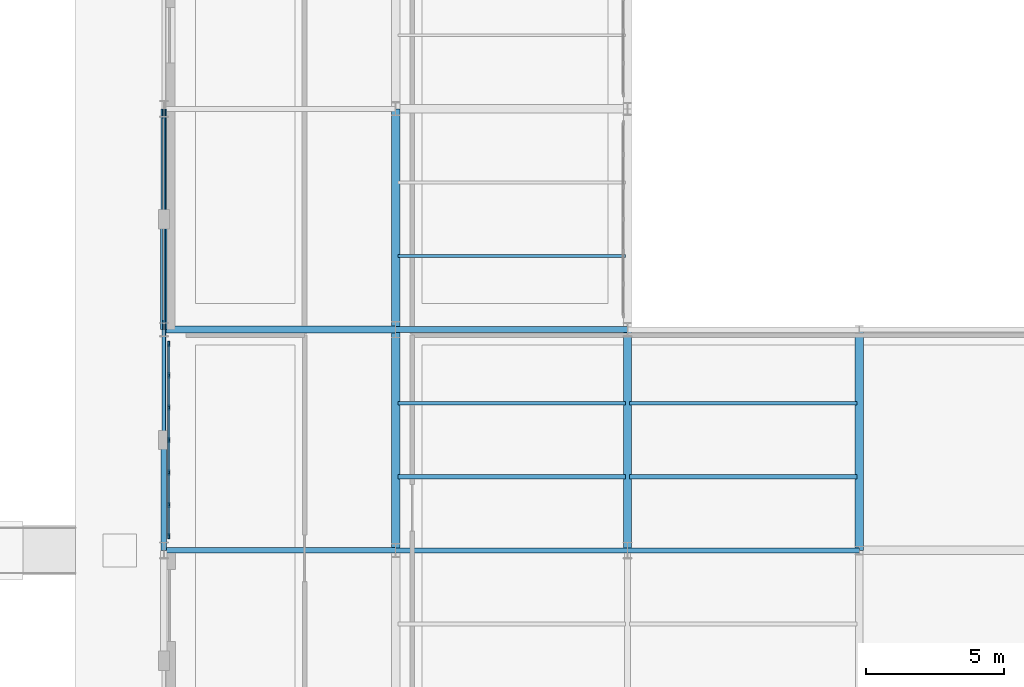
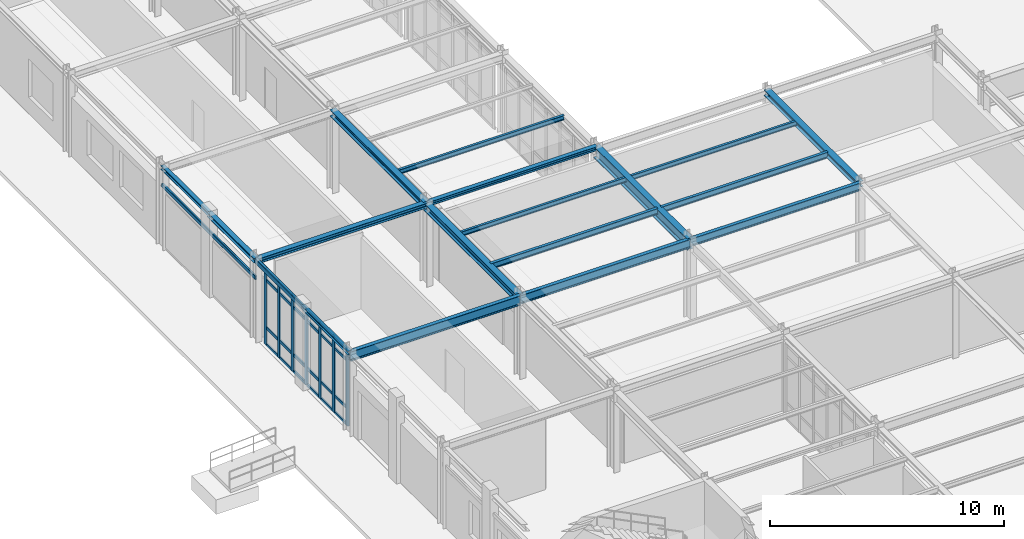
# One storey, part 37 of 101: 31 members, 19 beams, 1 element without a shape of its own.
"""IFC4 building model written with IfcOpenShell, lengths in metres."""

from ifc_helpers import new_model, si_unit, derived_unit, direction, frame, origin, origin_2d, place, context, subcontext, project, spatial, rectangle, hollow_rectangle, i_section, extrude, material, layer, layer_set, material_profile, profile_set, type_object, element, aggregate, save


model = new_model("IFC4")

# Units and contexts
model_context = context("Model", 3, precision=1e-05, world=origin(), true_north=direction((0.0, 1.0)))
body_context = subcontext(model_context, "Body", "Model", "MODEL_VIEW")
ifc_project = project(units=[si_unit("LENGTHUNIT", "METRE"), si_unit("AREAUNIT", "SQUARE_METRE"), si_unit("VOLUMEUNIT", "CUBIC_METRE"), si_unit("PLANEANGLEUNIT", "RADIAN"), si_unit("MASSUNIT", "GRAM", prefix="KILO"), derived_unit("THERMALTRANSMITTANCEUNIT", [(si_unit("POWERUNIT", "WATT"), 1), (si_unit("AREAUNIT", "SQUARE_METRE"), -1), (si_unit("THERMODYNAMICTEMPERATUREUNIT", "KELVIN"), -1)])], contexts=[model_context])

# Site, building, storey
site_placement = place(None, origin())
site = spatial("IfcSite", under=ifc_project, at=site_placement, CompositionType="ELEMENT")
building_placement = place(site_placement, origin())
building = spatial("IfcBuilding", under=site, at=building_placement, Name="Yasenodar Specialist Clinic", CompositionType="ELEMENT")
storey_placement = place(building_placement, origin())
storey = spatial("IfcBuildingStorey", under=building, at=storey_placement, Name="L00", CompositionType="ELEMENT", Elevation=0.0)

# Beams
ifc_material_1 = material(Name="Steel S355", Category="steel")
ifc_material_profile_1 = material_profile(ifc_material_1, i_section(OverallWidth=0.219970703125, OverallDepth=0.2099609375, WebThickness=0.007080078125, FlangeThickness=0.010986328125, FilletRadius=0.01806640625, at=origin_2d()), Name="HEA 220")
ifc_profile_set_1 = profile_set([ifc_material_profile_1], Name="Steel S355")
beam_type_1 = type_object("IfcBeamType", Name="BM-HEA220", PredefinedType="BEAM", material=ifc_profile_set_1)
beam_1_placement = place(storey_placement, frame((8.39990234375, 66.800048828125, 4.14501953125), z_axis=(1.0, 0.0, 0.0), x_axis=(0.0, 1.0, 0.0)))
element("IfcBeam", 1, at=beam_1_placement, inside=storey, type_object=beam_type_1, Name="L00 Primary E-W Girder", PredefinedType="BEAM", context=body_context, shape_type="SweptSolid", body=[
    extrude(i_section(OverallWidth=0.219970703125, OverallDepth=0.2099609375, WebThickness=0.007080078125, FlangeThickness=0.010986328125, FilletRadius=0.01806640625, at=origin_2d()), origin(), (0.0, 0.0, 1.0), 8.400146484375),
])
ifc_material_profile_2 = material_profile(ifc_material_1, i_section(OverallWidth=0.260009765625, OverallDepth=0.25, WebThickness=0.007568359375, FlangeThickness=0.012451171875, FilletRadius=0.02392578125, at=origin_2d()), Name="HEA 260")
ifc_profile_set_2 = profile_set([ifc_material_profile_2], Name="Steel S355")
beam_type_2 = type_object("IfcBeamType", Name="BM-HEA260", PredefinedType="BEAM", material=ifc_profile_set_2)
beam_2_placement = place(storey_placement, frame((0.0, 66.800048828125, 4.125), z_axis=(1.0, 0.0, 0.0), x_axis=(0.0, 1.0, 0.0)))
element("IfcBeam", 2, at=beam_2_placement, inside=storey, type_object=beam_type_2, Name="L00 Primary E-W Girder", PredefinedType="BEAM", context=body_context, shape_type="SweptSolid", body=[
    extrude(i_section(OverallWidth=0.260009765625, OverallDepth=0.25, WebThickness=0.007568359375, FlangeThickness=0.012451171875, FilletRadius=0.02392578125, at=origin_2d()), origin(), (0.0, 0.0, 1.0), 8.39990234375),
])
ifc_material_profile_3 = material_profile(ifc_material_1, i_section(OverallWidth=0.300048828125, OverallDepth=0.2900390625, WebThickness=0.008544921875, FlangeThickness=0.013916015625, FilletRadius=0.027099609375, at=origin_2d()), Name="HEA 300")
ifc_profile_set_3 = profile_set([ifc_material_profile_3], Name="Steel S355")
beam_type_3 = type_object("IfcBeamType", Name="BM-HEA300", PredefinedType="BEAM", material=ifc_profile_set_3)
beam_3_placement = place(storey_placement, frame((25.199951171875, 58.800048828125, 4.10498046875), z_axis=(0.0, 1.0, 0.0), x_axis=(-1.0, 0.0, 0.0)))
element("IfcBeam", 3, at=beam_3_placement, inside=storey, type_object=beam_type_3, Name="L00 Primary N-S Girder", PredefinedType="BEAM", context=body_context, shape_type="SweptSolid", body=[
    extrude(i_section(OverallWidth=0.300048828125, OverallDepth=0.2900390625, WebThickness=0.008544921875, FlangeThickness=0.013916015625, FilletRadius=0.027099609375, at=origin_2d()), origin(), (0.0, 0.0, 1.0), 8.0),
])
ifc_material_profile_4 = material_profile(ifc_material_1, i_section(OverallWidth=0.300048828125, OverallDepth=0.340087890625, WebThickness=0.011962890625, FlangeThickness=0.021484375, FilletRadius=0.027099609375, at=origin_2d()), Name="HEB 340")
ifc_profile_set_4 = profile_set([ifc_material_profile_4], Name="Steel S355")
beam_type_4 = type_object("IfcBeamType", Name="BM-HEB340", PredefinedType="BEAM", material=ifc_profile_set_4)
beam_4_placement = place(storey_placement, frame((8.39990234375, 66.800048828125, 4.080078125), z_axis=(0.0, 1.0, 0.0), x_axis=(-1.0, 0.0, 0.0)))
element("IfcBeam", 4, at=beam_4_placement, inside=storey, type_object=beam_type_4, Name="L00 Primary N-S Girder", PredefinedType="BEAM", context=body_context, shape_type="SweptSolid", body=[
    extrude(i_section(OverallWidth=0.300048828125, OverallDepth=0.340087890625, WebThickness=0.011962890625, FlangeThickness=0.021484375, FilletRadius=0.027099609375, at=origin_2d()), origin(), (0.0, 0.0, 1.0), 8.0),
])
ifc_material_profile_5 = material_profile(ifc_material_1, i_section(OverallWidth=0.300048828125, OverallDepth=0.39990234375, WebThickness=0.013427734375, FlangeThickness=0.02392578125, FilletRadius=0.027099609375, at=origin_2d()), Name="HEB 400")
ifc_profile_set_5 = profile_set([ifc_material_profile_5], Name="Steel S355")
beam_type_5 = type_object("IfcBeamType", Name="BM-HEB400", PredefinedType="BEAM", material=ifc_profile_set_5)
beam_5_placement = place(storey_placement, frame((8.39990234375, 58.800048828125, 4.050048828125), z_axis=(0.0, 1.0, 0.0), x_axis=(-1.0, 0.0, 0.0)))
element("IfcBeam", 5, at=beam_5_placement, inside=storey, type_object=beam_type_5, Name="L00 Primary N-S Girder", PredefinedType="BEAM", context=body_context, shape_type="SweptSolid", body=[
    extrude(i_section(OverallWidth=0.300048828125, OverallDepth=0.39990234375, WebThickness=0.013427734375, FlangeThickness=0.02392578125, FilletRadius=0.027099609375, at=origin_2d()), origin(), (0.0, 0.0, 1.0), 8.0),
])
ifc_material_profile_6 = material_profile(ifc_material_1, i_section(OverallWidth=0.300048828125, OverallDepth=0.60009765625, WebThickness=0.015380859375, FlangeThickness=0.030029296875, FilletRadius=0.027099609375, at=origin_2d()), Name="HEB 600")
ifc_profile_set_6 = profile_set([ifc_material_profile_6], Name="Steel S355")
beam_type_6 = type_object("IfcBeamType", Name="BM-HEB600", PredefinedType="BEAM", material=ifc_profile_set_6)
beam_6_placement = place(storey_placement, frame((16.800048828125, 58.800048828125, 3.949951171875), z_axis=(0.0, 1.0, 0.0), x_axis=(-1.0, 0.0, 0.0)))
element("IfcBeam", 6, at=beam_6_placement, inside=storey, type_object=beam_type_6, Name="L00 Primary N-S Girder", PredefinedType="BEAM", context=body_context, shape_type="SweptSolid", body=[
    extrude(i_section(OverallWidth=0.300048828125, OverallDepth=0.60009765625, WebThickness=0.015380859375, FlangeThickness=0.030029296875, FilletRadius=0.027099609375, at=origin_2d()), origin(), (0.0, 0.0, 1.0), 8.0),
])
ifc_material_profile_7 = material_profile(ifc_material_1, i_section(OverallWidth=0.179931640625, OverallDepth=0.39990234375, WebThickness=0.008544921875, FlangeThickness=0.013427734375, FilletRadius=0.02099609375, at=origin_2d()), Name="IPE 400")
ifc_profile_set_7 = profile_set([ifc_material_profile_7], Name="Steel S355")
beam_type_7 = type_object("IfcBeamType", Name="BM-IPE400", PredefinedType="BEAM", material=ifc_profile_set_7)
beam_7_placement = place(storey_placement, frame((16.800048828125, 58.800048828125, 4.050048828125), z_axis=(1.0, 0.0, 0.0), x_axis=(0.0, 1.0, 0.0)))
element("IfcBeam", 7, at=beam_7_placement, inside=storey, type_object=beam_type_7, Name="L00 Primary E-W Girder", PredefinedType="BEAM", context=body_context, shape_type="SweptSolid", body=[
    extrude(i_section(OverallWidth=0.179931640625, OverallDepth=0.39990234375, WebThickness=0.008544921875, FlangeThickness=0.013427734375, FilletRadius=0.02099609375, at=origin_2d()), origin(), (0.0, 0.0, 1.0), 8.39990234375),
])
ifc_material_profile_8 = material_profile(ifc_material_1, i_section(OverallWidth=0.18994140625, OverallDepth=0.449951171875, WebThickness=0.009521484375, FlangeThickness=0.0146484375, FilletRadius=0.02099609375, at=origin_2d()), Name="IPE 450")
ifc_profile_set_8 = profile_set([ifc_material_profile_8], Name="Steel S355")
beam_type_8 = type_object("IfcBeamType", Name="BM-IPE450", PredefinedType="BEAM", material=ifc_profile_set_8)
beam_8_placement = place(storey_placement, frame((8.39990234375, 58.800048828125, 4.02490234375), z_axis=(1.0, 0.0, 0.0), x_axis=(0.0, 1.0, 0.0)))
element("IfcBeam", 8, at=beam_8_placement, inside=storey, type_object=beam_type_8, Name="L00 Primary E-W Girder", PredefinedType="BEAM", context=body_context, shape_type="SweptSolid", body=[
    extrude(i_section(OverallWidth=0.18994140625, OverallDepth=0.449951171875, WebThickness=0.009521484375, FlangeThickness=0.0146484375, FilletRadius=0.02099609375, at=origin_2d()), origin(), (0.0, 0.0, 1.0), 8.400146484375),
])
ifc_material_profile_9 = material_profile(ifc_material_1, i_section(OverallWidth=0.199951171875, OverallDepth=0.5, WebThickness=0.01025390625, FlangeThickness=0.01611328125, FilletRadius=0.02099609375, at=origin_2d()), Name="IPE 500")
ifc_profile_set_9 = profile_set([ifc_material_profile_9], Name="Steel S355")
beam_type_9 = type_object("IfcBeamType", Name="BM-IPE500", PredefinedType="BEAM", material=ifc_profile_set_9)
beam_9_placement = place(storey_placement, frame((0.0, 58.800048828125, 4.0), z_axis=(1.0, 0.0, 0.0), x_axis=(0.0, 1.0, 0.0)))
element("IfcBeam", 9, at=beam_9_placement, inside=storey, type_object=beam_type_9, Name="L00 Primary E-W Girder", PredefinedType="BEAM", context=body_context, shape_type="SweptSolid", body=[
    extrude(i_section(OverallWidth=0.199951171875, OverallDepth=0.5, WebThickness=0.01025390625, FlangeThickness=0.01611328125, FilletRadius=0.02099609375, at=origin_2d()), origin(), (0.0, 0.0, 1.0), 8.39990234375),
])

# Curtain wall, members
ifc_material_2 = material(Name="Bronze Anodized Aluminium and Triple Low-E Glass", Category="aluminium")
ifc_layer = layer(ifc_material_2, 0.22705078125)
ifc_layer_set = layer_set([ifc_layer], Name="Bronze Anodized Aluminium and Triple Low-E Glass")
curtain_wall_type = type_object("IfcCurtainWallType", Name="CW-SYS-06", PredefinedType="USERDEFINED", material=ifc_layer_set)
curtain_wall_placement = place(storey_placement, origin())
curtain_wall = element("IfcCurtainWall", 10, at=curtain_wall_placement, inside=storey, type_object=curtain_wall_type, Name="L00 Unitised Curtain Wall 113", ObjectType="UNITISED CURTAIN WALL", PredefinedType="USERDEFINED")
ifc_material_3 = material(Name="Bronze Anodized Aluminium", Category="aluminium")
ifc_material_profile_10 = material_profile(ifc_material_3, rectangle(XDim=0.070068359375, YDim=0.199951171875, at=origin_2d()), Name="CW-MULL 70x200")
ifc_profile_set_10 = profile_set([ifc_material_profile_10], Name="Bronze Anodized Aluminium")
member_type_1 = type_object("IfcMemberType", Name="CW-MULL-200", PredefinedType="MULLION", material=ifc_profile_set_10)
member_1_placement = place(storey_placement, frame((0.179931640625, 59.31494140625, 0.0), z_axis=(0.0, 0.0, 1.0), x_axis=(-1.0, 0.0, 0.0)))
member_1 = element("IfcMember", 11, at=member_1_placement, type_object=member_type_1, Name="CW-06 mullion 1", PredefinedType="MULLION", context=body_context, shape_type="SweptSolid", body=[
    extrude(rectangle(XDim=0.070068359375, YDim=0.199951171875, at=origin_2d()), origin(), (0.0, 0.0, 1.0), 3.97802734375),
])
member_2_placement = place(storey_placement, frame((0.179931640625, 60.453369140625, 0.0), z_axis=(0.0, 0.0, 1.0), x_axis=(-1.0, 0.0, 0.0)))
member_2 = element("IfcMember", 12, at=member_2_placement, type_object=member_type_1, Name="CW-06 mullion 2", PredefinedType="MULLION", context=body_context, shape_type="SweptSolid", body=[
    extrude(rectangle(XDim=0.070068359375, YDim=0.199951171875, at=origin_2d()), origin(), (0.0, 0.0, 1.0), 3.97802734375),
])
member_3_placement = place(storey_placement, frame((0.179931640625, 61.626708984375, 0.0), z_axis=(0.0, 0.0, 1.0), x_axis=(-1.0, 0.0, 0.0)))
member_3 = element("IfcMember", 13, at=member_3_placement, type_object=member_type_1, Name="CW-06 mullion 3", PredefinedType="MULLION", context=body_context, shape_type="SweptSolid", body=[
    extrude(rectangle(XDim=0.070068359375, YDim=0.199951171875, at=origin_2d()), origin(), (0.0, 0.0, 1.0), 3.97802734375),
])
member_4_placement = place(storey_placement, frame((0.179931640625, 62.800048828125, 0.0), z_axis=(0.0, 0.0, 1.0), x_axis=(-1.0, 0.0, 0.0)))
member_4 = element("IfcMember", 14, at=member_4_placement, type_object=member_type_1, Name="CW-06 mullion 4", PredefinedType="MULLION", context=body_context, shape_type="SweptSolid", body=[
    extrude(rectangle(XDim=0.070068359375, YDim=0.199951171875, at=origin_2d()), origin(), (0.0, 0.0, 1.0), 3.97802734375),
])
member_5_placement = place(storey_placement, frame((0.179931640625, 63.973388671875, 0.0), z_axis=(0.0, 0.0, 1.0), x_axis=(-1.0, 0.0, 0.0)))
member_5 = element("IfcMember", 15, at=member_5_placement, type_object=member_type_1, Name="CW-06 mullion 5", PredefinedType="MULLION", context=body_context, shape_type="SweptSolid", body=[
    extrude(rectangle(XDim=0.070068359375, YDim=0.199951171875, at=origin_2d()), origin(), (0.0, 0.0, 1.0), 3.97802734375),
])
member_6_placement = place(storey_placement, frame((0.179931640625, 65.146728515625, 0.0), z_axis=(0.0, 0.0, 1.0), x_axis=(-1.0, 0.0, 0.0)))
member_6 = element("IfcMember", 16, at=member_6_placement, type_object=member_type_1, Name="CW-06 mullion 6", PredefinedType="MULLION", context=body_context, shape_type="SweptSolid", body=[
    extrude(rectangle(XDim=0.070068359375, YDim=0.199951171875, at=origin_2d()), origin(), (0.0, 0.0, 1.0), 3.97802734375),
])
member_7_placement = place(storey_placement, frame((0.179931640625, 66.284912109375, 0.0), z_axis=(0.0, 0.0, 1.0), x_axis=(-1.0, 0.0, 0.0)))
member_7 = element("IfcMember", 17, at=member_7_placement, type_object=member_type_1, Name="CW-06 mullion 7", PredefinedType="MULLION", context=body_context, shape_type="SweptSolid", body=[
    extrude(rectangle(XDim=0.070068359375, YDim=0.199951171875, at=origin_2d()), origin(), (0.0, 0.0, 1.0), 3.97802734375),
])
ifc_material_profile_11 = material_profile(ifc_material_3, rectangle(XDim=0.070068359375, YDim=0.14990234375, at=origin_2d()), Name="CW-TRAN 70x150")
ifc_profile_set_11 = profile_set([ifc_material_profile_11], Name="Bronze Anodized Aluminium")
member_type_2 = type_object("IfcMemberType", Name="CW-TRAN-150", PredefinedType="USERDEFINED", material=ifc_profile_set_11)
member_8_placement = place(storey_placement, frame((0.179931640625, 59.35009765625, 0.034912109375), z_axis=(0.0, 1.0, 0.0), x_axis=(-1.0, 0.0, 0.0)))
member_8 = element("IfcMember", 18, at=member_8_placement, type_object=member_type_2, Name="CW-06 transom 1.1", ObjectType="TRANSOM", PredefinedType="USERDEFINED", context=body_context, shape_type="SweptSolid", body=[
    extrude(rectangle(XDim=0.070068359375, YDim=0.14990234375, at=origin_2d()), origin(), (0.0, 0.0, 1.0), 1.068115234375),
])
member_9_placement = place(storey_placement, frame((0.179931640625, 59.35009765625, 0.89990234375), z_axis=(0.0, 1.0, 0.0), x_axis=(-1.0, 0.0, 0.0)))
member_9 = element("IfcMember", 19, at=member_9_placement, type_object=member_type_2, Name="CW-06 transom 1.2", ObjectType="TRANSOM", PredefinedType="USERDEFINED", context=body_context, shape_type="SweptSolid", body=[
    extrude(rectangle(XDim=0.070068359375, YDim=0.14990234375, at=origin_2d()), origin(), (0.0, 0.0, 1.0), 1.068115234375),
])
member_10_placement = place(storey_placement, frame((0.179931640625, 59.35009765625, 3.3779296875), z_axis=(0.0, 1.0, 0.0), x_axis=(-1.0, 0.0, 0.0)))
member_10 = element("IfcMember", 20, at=member_10_placement, type_object=member_type_2, Name="CW-06 transom 1.3", ObjectType="TRANSOM", PredefinedType="USERDEFINED", context=body_context, shape_type="SweptSolid", body=[
    extrude(rectangle(XDim=0.070068359375, YDim=0.14990234375, at=origin_2d()), origin(), (0.0, 0.0, 1.0), 1.068115234375),
])
member_11_placement = place(storey_placement, frame((0.179931640625, 59.35009765625, 3.943115234375), z_axis=(0.0, 1.0, 0.0), x_axis=(-1.0, 0.0, 0.0)))
member_11 = element("IfcMember", 21, at=member_11_placement, type_object=member_type_2, Name="CW-06 transom 1.4", ObjectType="TRANSOM", PredefinedType="USERDEFINED", context=body_context, shape_type="SweptSolid", body=[
    extrude(rectangle(XDim=0.070068359375, YDim=0.14990234375, at=origin_2d()), origin(), (0.0, 0.0, 1.0), 1.068115234375),
])
member_12_placement = place(storey_placement, frame((0.179931640625, 60.48828125, 0.034912109375), z_axis=(0.0, 1.0, 0.0), x_axis=(-1.0, 0.0, 0.0)))
member_12 = element("IfcMember", 22, at=member_12_placement, type_object=member_type_2, Name="CW-06 transom 2.1", ObjectType="TRANSOM", PredefinedType="USERDEFINED", context=body_context, shape_type="SweptSolid", body=[
    extrude(rectangle(XDim=0.070068359375, YDim=0.14990234375, at=origin_2d()), origin(), (0.0, 0.0, 1.0), 1.103271484375),
])
member_13_placement = place(storey_placement, frame((0.179931640625, 60.48828125, 0.89990234375), z_axis=(0.0, 1.0, 0.0), x_axis=(-1.0, 0.0, 0.0)))
member_13 = element("IfcMember", 23, at=member_13_placement, type_object=member_type_2, Name="CW-06 transom 2.2", ObjectType="TRANSOM", PredefinedType="USERDEFINED", context=body_context, shape_type="SweptSolid", body=[
    extrude(rectangle(XDim=0.070068359375, YDim=0.14990234375, at=origin_2d()), origin(), (0.0, 0.0, 1.0), 1.103271484375),
])
member_14_placement = place(storey_placement, frame((0.179931640625, 60.48828125, 3.3779296875), z_axis=(0.0, 1.0, 0.0), x_axis=(-1.0, 0.0, 0.0)))
member_14 = element("IfcMember", 24, at=member_14_placement, type_object=member_type_2, Name="CW-06 transom 2.3", ObjectType="TRANSOM", PredefinedType="USERDEFINED", context=body_context, shape_type="SweptSolid", body=[
    extrude(rectangle(XDim=0.070068359375, YDim=0.14990234375, at=origin_2d()), origin(), (0.0, 0.0, 1.0), 1.103271484375),
])
member_15_placement = place(storey_placement, frame((0.179931640625, 60.48828125, 3.943115234375), z_axis=(0.0, 1.0, 0.0), x_axis=(-1.0, 0.0, 0.0)))
member_15 = element("IfcMember", 25, at=member_15_placement, type_object=member_type_2, Name="CW-06 transom 2.4", ObjectType="TRANSOM", PredefinedType="USERDEFINED", context=body_context, shape_type="SweptSolid", body=[
    extrude(rectangle(XDim=0.070068359375, YDim=0.14990234375, at=origin_2d()), origin(), (0.0, 0.0, 1.0), 1.103271484375),
])
member_16_placement = place(storey_placement, frame((0.179931640625, 61.66162109375, 0.034912109375), z_axis=(0.0, 1.0, 0.0), x_axis=(-1.0, 0.0, 0.0)))
member_16 = element("IfcMember", 26, at=member_16_placement, type_object=member_type_2, Name="CW-06 transom 3.1", ObjectType="TRANSOM", PredefinedType="USERDEFINED", context=body_context, shape_type="SweptSolid", body=[
    extrude(rectangle(XDim=0.070068359375, YDim=0.14990234375, at=origin_2d()), origin(), (0.0, 0.0, 1.0), 1.103271484375),
])
member_17_placement = place(storey_placement, frame((0.179931640625, 61.66162109375, 0.89990234375), z_axis=(0.0, 1.0, 0.0), x_axis=(-1.0, 0.0, 0.0)))
member_17 = element("IfcMember", 27, at=member_17_placement, type_object=member_type_2, Name="CW-06 transom 3.2", ObjectType="TRANSOM", PredefinedType="USERDEFINED", context=body_context, shape_type="SweptSolid", body=[
    extrude(rectangle(XDim=0.070068359375, YDim=0.14990234375, at=origin_2d()), origin(), (0.0, 0.0, 1.0), 1.103271484375),
])
member_18_placement = place(storey_placement, frame((0.179931640625, 61.66162109375, 3.3779296875), z_axis=(0.0, 1.0, 0.0), x_axis=(-1.0, 0.0, 0.0)))
member_18 = element("IfcMember", 28, at=member_18_placement, type_object=member_type_2, Name="CW-06 transom 3.3", ObjectType="TRANSOM", PredefinedType="USERDEFINED", context=body_context, shape_type="SweptSolid", body=[
    extrude(rectangle(XDim=0.070068359375, YDim=0.14990234375, at=origin_2d()), origin(), (0.0, 0.0, 1.0), 1.103271484375),
])
member_19_placement = place(storey_placement, frame((0.179931640625, 61.66162109375, 3.943115234375), z_axis=(0.0, 1.0, 0.0), x_axis=(-1.0, 0.0, 0.0)))
member_19 = element("IfcMember", 29, at=member_19_placement, type_object=member_type_2, Name="CW-06 transom 3.4", ObjectType="TRANSOM", PredefinedType="USERDEFINED", context=body_context, shape_type="SweptSolid", body=[
    extrude(rectangle(XDim=0.070068359375, YDim=0.14990234375, at=origin_2d()), origin(), (0.0, 0.0, 1.0), 1.103271484375),
])
member_20_placement = place(storey_placement, frame((0.179931640625, 62.8349609375, 0.034912109375), z_axis=(0.0, 1.0, 0.0), x_axis=(-1.0, 0.0, 0.0)))
member_20 = element("IfcMember", 30, at=member_20_placement, type_object=member_type_2, Name="CW-06 transom 4.1", ObjectType="TRANSOM", PredefinedType="USERDEFINED", context=body_context, shape_type="SweptSolid", body=[
    extrude(rectangle(XDim=0.070068359375, YDim=0.14990234375, at=origin_2d()), origin(), (0.0, 0.0, 1.0), 1.103271484375),
])
member_21_placement = place(storey_placement, frame((0.179931640625, 62.8349609375, 0.89990234375), z_axis=(0.0, 1.0, 0.0), x_axis=(-1.0, 0.0, 0.0)))
member_21 = element("IfcMember", 31, at=member_21_placement, type_object=member_type_2, Name="CW-06 transom 4.2", ObjectType="TRANSOM", PredefinedType="USERDEFINED", context=body_context, shape_type="SweptSolid", body=[
    extrude(rectangle(XDim=0.070068359375, YDim=0.14990234375, at=origin_2d()), origin(), (0.0, 0.0, 1.0), 1.103271484375),
])
member_22_placement = place(storey_placement, frame((0.179931640625, 62.8349609375, 3.3779296875), z_axis=(0.0, 1.0, 0.0), x_axis=(-1.0, 0.0, 0.0)))
member_22 = element("IfcMember", 32, at=member_22_placement, type_object=member_type_2, Name="CW-06 transom 4.3", ObjectType="TRANSOM", PredefinedType="USERDEFINED", context=body_context, shape_type="SweptSolid", body=[
    extrude(rectangle(XDim=0.070068359375, YDim=0.14990234375, at=origin_2d()), origin(), (0.0, 0.0, 1.0), 1.103271484375),
])
member_23_placement = place(storey_placement, frame((0.179931640625, 62.8349609375, 3.943115234375), z_axis=(0.0, 1.0, 0.0), x_axis=(-1.0, 0.0, 0.0)))
member_23 = element("IfcMember", 33, at=member_23_placement, type_object=member_type_2, Name="CW-06 transom 4.4", ObjectType="TRANSOM", PredefinedType="USERDEFINED", context=body_context, shape_type="SweptSolid", body=[
    extrude(rectangle(XDim=0.070068359375, YDim=0.14990234375, at=origin_2d()), origin(), (0.0, 0.0, 1.0), 1.103271484375),
])
member_24_placement = place(storey_placement, frame((0.179931640625, 64.00830078125, 0.034912109375), z_axis=(0.0, 1.0, 0.0), x_axis=(-1.0, 0.0, 0.0)))
member_24 = element("IfcMember", 34, at=member_24_placement, type_object=member_type_2, Name="CW-06 transom 5.1", ObjectType="TRANSOM", PredefinedType="USERDEFINED", context=body_context, shape_type="SweptSolid", body=[
    extrude(rectangle(XDim=0.070068359375, YDim=0.14990234375, at=origin_2d()), origin(), (0.0, 0.0, 1.0), 1.103271484375),
])
member_25_placement = place(storey_placement, frame((0.179931640625, 64.00830078125, 0.89990234375), z_axis=(0.0, 1.0, 0.0), x_axis=(-1.0, 0.0, 0.0)))
member_25 = element("IfcMember", 35, at=member_25_placement, type_object=member_type_2, Name="CW-06 transom 5.2", ObjectType="TRANSOM", PredefinedType="USERDEFINED", context=body_context, shape_type="SweptSolid", body=[
    extrude(rectangle(XDim=0.070068359375, YDim=0.14990234375, at=origin_2d()), origin(), (0.0, 0.0, 1.0), 1.103271484375),
])
member_26_placement = place(storey_placement, frame((0.179931640625, 64.00830078125, 3.3779296875), z_axis=(0.0, 1.0, 0.0), x_axis=(-1.0, 0.0, 0.0)))
member_26 = element("IfcMember", 36, at=member_26_placement, type_object=member_type_2, Name="CW-06 transom 5.3", ObjectType="TRANSOM", PredefinedType="USERDEFINED", context=body_context, shape_type="SweptSolid", body=[
    extrude(rectangle(XDim=0.070068359375, YDim=0.14990234375, at=origin_2d()), origin(), (0.0, 0.0, 1.0), 1.103271484375),
])
member_27_placement = place(storey_placement, frame((0.179931640625, 64.00830078125, 3.943115234375), z_axis=(0.0, 1.0, 0.0), x_axis=(-1.0, 0.0, 0.0)))
member_27 = element("IfcMember", 37, at=member_27_placement, type_object=member_type_2, Name="CW-06 transom 5.4", ObjectType="TRANSOM", PredefinedType="USERDEFINED", context=body_context, shape_type="SweptSolid", body=[
    extrude(rectangle(XDim=0.070068359375, YDim=0.14990234375, at=origin_2d()), origin(), (0.0, 0.0, 1.0), 1.103271484375),
])
member_28_placement = place(storey_placement, frame((0.179931640625, 65.181640625, 0.034912109375), z_axis=(0.0, 1.0, 0.0), x_axis=(-1.0, 0.0, 0.0)))
member_28 = element("IfcMember", 38, at=member_28_placement, type_object=member_type_2, Name="CW-06 transom 6.1", ObjectType="TRANSOM", PredefinedType="USERDEFINED", context=body_context, shape_type="SweptSolid", body=[
    extrude(rectangle(XDim=0.070068359375, YDim=0.14990234375, at=origin_2d()), origin(), (0.0, 0.0, 1.0), 1.068359375),
])
member_29_placement = place(storey_placement, frame((0.179931640625, 65.181640625, 0.89990234375), z_axis=(0.0, 1.0, 0.0), x_axis=(-1.0, 0.0, 0.0)))
member_29 = element("IfcMember", 39, at=member_29_placement, type_object=member_type_2, Name="CW-06 transom 6.2", ObjectType="TRANSOM", PredefinedType="USERDEFINED", context=body_context, shape_type="SweptSolid", body=[
    extrude(rectangle(XDim=0.070068359375, YDim=0.14990234375, at=origin_2d()), origin(), (0.0, 0.0, 1.0), 1.068359375),
])
member_30_placement = place(storey_placement, frame((0.179931640625, 65.181640625, 3.3779296875), z_axis=(0.0, 1.0, 0.0), x_axis=(-1.0, 0.0, 0.0)))
member_30 = element("IfcMember", 40, at=member_30_placement, type_object=member_type_2, Name="CW-06 transom 6.3", ObjectType="TRANSOM", PredefinedType="USERDEFINED", context=body_context, shape_type="SweptSolid", body=[
    extrude(rectangle(XDim=0.070068359375, YDim=0.14990234375, at=origin_2d()), origin(), (0.0, 0.0, 1.0), 1.068359375),
])
member_31_placement = place(storey_placement, frame((0.179931640625, 65.181640625, 3.943115234375), z_axis=(0.0, 1.0, 0.0), x_axis=(-1.0, 0.0, 0.0)))
member_31 = element("IfcMember", 41, at=member_31_placement, type_object=member_type_2, Name="CW-06 transom 6.4", ObjectType="TRANSOM", PredefinedType="USERDEFINED", context=body_context, shape_type="SweptSolid", body=[
    extrude(rectangle(XDim=0.070068359375, YDim=0.14990234375, at=origin_2d()), origin(), (0.0, 0.0, 1.0), 1.068359375),
])
aggregate(curtain_wall, [member_1, member_2, member_3, member_4, member_5, member_6, member_7, member_8, member_9, member_10, member_11, member_12, member_13, member_14, member_15, member_16, member_17, member_18, member_19, member_20, member_21, member_22, member_23, member_24, member_25, member_26, member_27, member_28, member_29, member_30, member_31])

# Beams
ifc_material_profile_12 = material_profile(ifc_material_1, i_section(OverallWidth=0.1201171875, OverallDepth=0.239990234375, WebThickness=0.006103515625, FlangeThickness=0.009765625, FilletRadius=0.014892578125, at=origin_2d()), Name="IPE 240")
ifc_profile_set_12 = profile_set([ifc_material_profile_12], Name="Steel S355")
beam_type_10 = type_object("IfcBeamType", Name="JS-IPE240", PredefinedType="JOIST", material=ifc_profile_set_12)
for number, where, z_axis, x_axis, name in (
    (42, (8.47998046875, 64.13330078125, 4.1298828125), (1.0, 0.0, 0.0), (0.0, 1.0, 0.0), "L00 Composite Floor Joist"),
    (43, (8.47998046875, 69.466796875, 4.1298828125), (1.0, 0.0, 0.0), (0.0, 1.0, 0.0), "L00 Composite Floor Joist"),
):
    element("IfcBeam", number, at=place(storey_placement, frame(where, z_axis=z_axis, x_axis=x_axis)), inside=storey, type_object=beam_type_10, Name=name, PredefinedType="JOIST", context=body_context, shape_type="SweptSolid", body=[
        extrude(i_section(OverallWidth=0.1201171875, OverallDepth=0.239990234375, WebThickness=0.006103515625, FlangeThickness=0.009765625, FilletRadius=0.014892578125, at=origin_2d()), origin(), (0.0, 0.0, 1.0), 8.239990234375),
    ])
beam_10_placement = place(storey_placement, frame((16.8798828125, 64.13330078125, 4.1298828125), z_axis=(1.0, 0.0, 0.0), x_axis=(0.0, 1.0, 0.0)))
element("IfcBeam", 44, at=beam_10_placement, inside=storey, type_object=beam_type_10, Name="L00 Composite Floor Joist", PredefinedType="JOIST", context=body_context, shape_type="SweptSolid", body=[
    extrude(i_section(OverallWidth=0.1201171875, OverallDepth=0.239990234375, WebThickness=0.006103515625, FlangeThickness=0.009765625, FilletRadius=0.014892578125, at=origin_2d()), origin(), (0.0, 0.0, 1.0), 8.240234375),
])
ifc_material_profile_13 = material_profile(ifc_material_1, i_section(OverallWidth=0.14990234375, OverallDepth=0.300048828125, WebThickness=0.007080078125, FlangeThickness=0.0107421875, FilletRadius=0.014892578125, at=origin_2d()), Name="IPE 300")
ifc_profile_set_13 = profile_set([ifc_material_profile_13], Name="Steel S355")
beam_type_11 = type_object("IfcBeamType", Name="JS-IPE300", PredefinedType="JOIST", material=ifc_profile_set_13)
beam_11_placement = place(storey_placement, frame((8.47998046875, 61.466796875, 4.10009765625), z_axis=(1.0, 0.0, 0.0), x_axis=(0.0, 1.0, 0.0)))
element("IfcBeam", 45, at=beam_11_placement, inside=storey, type_object=beam_type_11, Name="L00 Composite Floor Joist", PredefinedType="JOIST", context=body_context, shape_type="SweptSolid", body=[
    extrude(i_section(OverallWidth=0.14990234375, OverallDepth=0.300048828125, WebThickness=0.007080078125, FlangeThickness=0.0107421875, FilletRadius=0.014892578125, at=origin_2d()), origin(), (0.0, 0.0, 1.0), 8.239990234375),
])
beam_12_placement = place(storey_placement, frame((16.8798828125, 61.466796875, 4.10009765625), z_axis=(1.0, 0.0, 0.0), x_axis=(0.0, 1.0, 0.0)))
element("IfcBeam", 46, at=beam_12_placement, inside=storey, type_object=beam_type_11, Name="L00 Composite Floor Joist", PredefinedType="JOIST", context=body_context, shape_type="SweptSolid", body=[
    extrude(i_section(OverallWidth=0.14990234375, OverallDepth=0.300048828125, WebThickness=0.007080078125, FlangeThickness=0.0107421875, FilletRadius=0.014892578125, at=origin_2d()), origin(), (0.0, 0.0, 1.0), 8.240234375),
])
ifc_material_profile_14 = material_profile(ifc_material_1, hollow_rectangle(XDim=0.10009765625, YDim=0.199951171875, WallThickness=0.008056640625, InnerFilletRadius=0.011962890625, OuterFilletRadius=0.02001953125, at=origin_2d()), Name="RHS 200x100x8")
ifc_profile_set_14 = profile_set([ifc_material_profile_14], Name="Steel S355")
beam_type_12 = type_object("IfcBeamType", Name="LN-RHS200", PredefinedType="LINTEL", material=ifc_profile_set_14)
beam_13_placement = place(storey_placement, frame((0.0, 66.800048828125, 3.199951171875), z_axis=(0.0, 1.0, 0.0), x_axis=(-1.0, 0.0, 0.0)))
element("IfcBeam", 47, at=beam_13_placement, inside=storey, type_object=beam_type_12, Name="L00 Structural Opening Lintel", PredefinedType="LINTEL", context=body_context, shape_type="SweptSolid", body=[
    extrude(hollow_rectangle(XDim=0.10009765625, YDim=0.199951171875, WallThickness=0.008056640625, InnerFilletRadius=0.011962890625, OuterFilletRadius=0.02001953125, at=origin_2d()), origin(), (0.0, 0.0, 1.0), 8.0),
])
ifc_material_profile_15 = material_profile(ifc_material_1, i_section(OverallWidth=0.199951171875, OverallDepth=0.18994140625, WebThickness=0.006591796875, FlangeThickness=0.010009765625, FilletRadius=0.01806640625, at=origin_2d()), Name="HEA 200")
ifc_profile_set_15 = profile_set([ifc_material_profile_15], Name="Steel S355")
beam_type_13 = type_object("IfcBeamType", Name="SP-HEA200", PredefinedType="SPANDREL", material=ifc_profile_set_15)
for number, where, z_axis, x_axis, name in (
    (48, (0.0, 58.800048828125, 4.155029296875), (0.0, 1.0, 0.0), (-1.0, 0.0, 0.0), "L00 Perimeter Spandrel Beam"),
    (49, (0.0, 70.800048828125, 4.155029296875), (0.0, 1.0, 0.0), (-1.0, 0.0, 0.0), "L00 Perimeter Spandrel Beam"),
):
    element("IfcBeam", number, at=place(storey_placement, frame(where, z_axis=z_axis, x_axis=x_axis)), inside=storey, type_object=beam_type_13, Name=name, PredefinedType="SPANDREL", context=body_context, shape_type="SweptSolid", body=[
        extrude(i_section(OverallWidth=0.199951171875, OverallDepth=0.18994140625, WebThickness=0.006591796875, FlangeThickness=0.010009765625, FilletRadius=0.01806640625, at=origin_2d()), origin(), (0.0, 0.0, 1.0), 4.0),
    ])
ifc_material_profile_16 = material_profile(ifc_material_1, i_section(OverallWidth=0.239990234375, OverallDepth=0.22998046875, WebThickness=0.007568359375, FlangeThickness=0.011962890625, FilletRadius=0.02099609375, at=origin_2d()), Name="HEA 240")
ifc_profile_set_16 = profile_set([ifc_material_profile_16], Name="Steel S355")
beam_type_14 = type_object("IfcBeamType", Name="SP-HEA240", PredefinedType="SPANDREL", material=ifc_profile_set_16)
beam_14_placement = place(storey_placement, frame((0.0, 66.800048828125, 4.135009765625), z_axis=(0.0, 1.0, 0.0), x_axis=(-1.0, 0.0, 0.0)))
element("IfcBeam", 50, at=beam_14_placement, inside=storey, type_object=beam_type_14, Name="L00 Perimeter Spandrel Beam", PredefinedType="SPANDREL", context=body_context, shape_type="SweptSolid", body=[
    extrude(i_section(OverallWidth=0.239990234375, OverallDepth=0.22998046875, WebThickness=0.007568359375, FlangeThickness=0.011962890625, FilletRadius=0.02099609375, at=origin_2d()), origin(), (0.0, 0.0, 1.0), 4.0),
])
ifc_material_profile_17 = material_profile(ifc_material_1, hollow_rectangle(XDim=0.14990234375, YDim=0.25, WallThickness=0.010009765625, InnerFilletRadius=0.014892578125, OuterFilletRadius=0.02490234375, at=origin_2d()), Name="RHS 250x150x10")
ifc_profile_set_17 = profile_set([ifc_material_profile_17], Name="Steel S355")
beam_type_15 = type_object("IfcBeamType", Name="SP-RHS250", PredefinedType="SPANDREL", material=ifc_profile_set_17)
beam_15_placement = place(storey_placement, frame((0.0, 62.800048828125, 4.125), z_axis=(0.0, 1.0, 0.0), x_axis=(-1.0, 0.0, 0.0)))
element("IfcBeam", 51, at=beam_15_placement, inside=storey, type_object=beam_type_15, Name="L00 Perimeter Spandrel Beam", PredefinedType="SPANDREL", context=body_context, shape_type="SweptSolid", body=[
    extrude(hollow_rectangle(XDim=0.14990234375, YDim=0.25, WallThickness=0.010009765625, InnerFilletRadius=0.014892578125, OuterFilletRadius=0.02490234375, at=origin_2d()), origin(), (0.0, 0.0, 1.0), 4.0),
])

save(model, "model.ifc")
